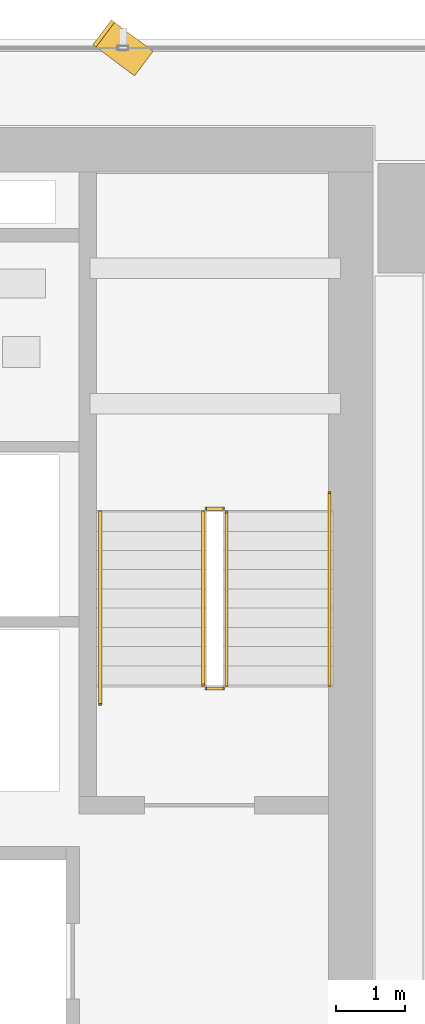
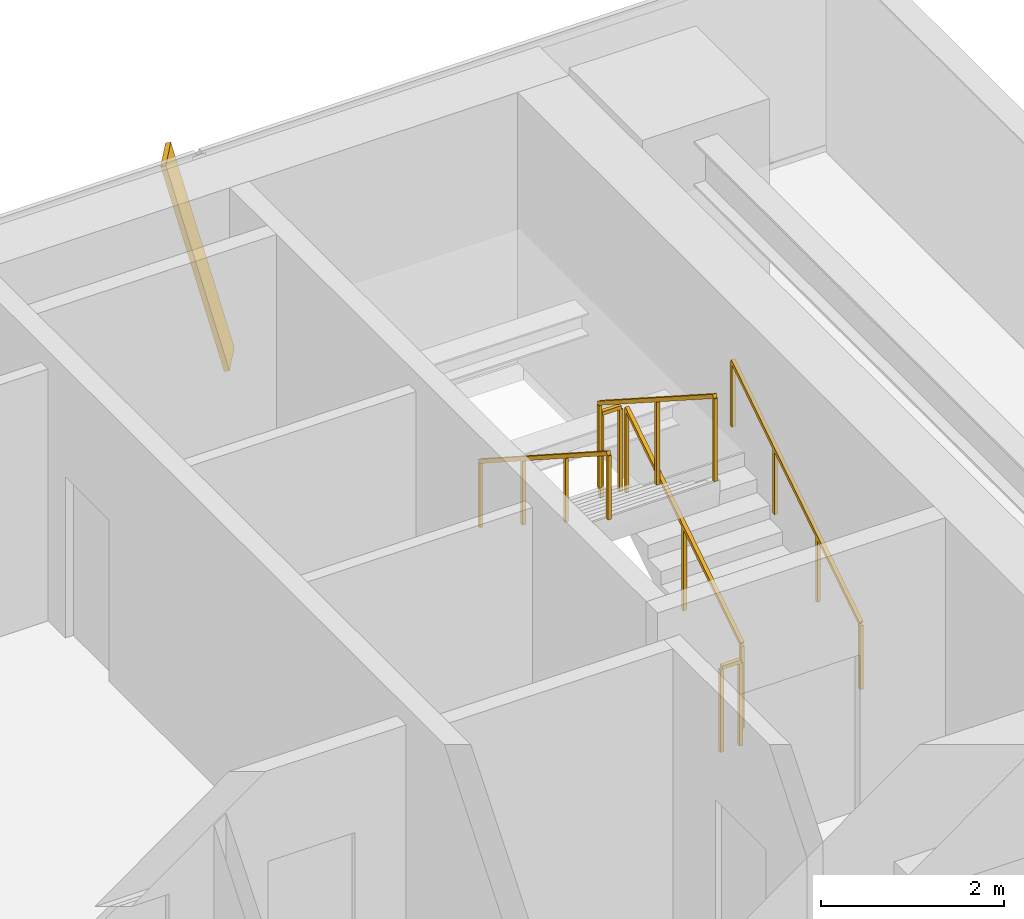
# One storey, part 35 of 36: 6 railings, 1 shading device.
"""IFC4 building model written with IfcOpenShell, lengths in metres."""

from ifc_helpers import new_model, si_unit, direction, frame, origin, origin_2d, place, context, subcontext, project, spatial, rectangle, extrude, source, transform, mapped, material, material_profile, profile_set, type_object, element, save


model = new_model("IFC4")

# Units and contexts
model_context = context("Model", 3, precision=1e-05, world=origin(), true_north=direction((0.0, 1.0)))
body_context = subcontext(model_context, "Body", "Model", "MODEL_VIEW")
ifc_project = project(units=[si_unit("LENGTHUNIT", "METRE"), si_unit("AREAUNIT", "SQUARE_METRE"), si_unit("VOLUMEUNIT", "CUBIC_METRE"), si_unit("PLANEANGLEUNIT", "RADIAN"), si_unit("MASSUNIT", "GRAM", prefix="KILO")], contexts=[model_context])

# Site, building, storey
site_placement = place(None, origin())
site = spatial("IfcSite", under=ifc_project, at=site_placement, CompositionType="ELEMENT")
building_placement = place(site_placement, origin())
building = spatial("IfcBuilding", under=site, at=building_placement, Name="Sumidabori Civic Tower", CompositionType="ELEMENT")
storey_placement = place(building_placement, frame((0.0, 0.0, 113.60009765625)))
storey = spatial("IfcBuildingStorey", under=building, at=storey_placement, Name="L29", CompositionType="ELEMENT", Elevation=113.60009765625)

# Railings
ifc_material_1 = material(Name="Stainless Steel Hairline Finish", Category="steel")
railing_type_1 = type_object("IfcRailingType", Name="RL-HANDRAIL", PredefinedType="HANDRAIL", material=ifc_material_1)
railing_1_placement = place(storey_placement, frame((15.2900390625, 16.0, 0.179931640625)))
element("IfcRailing", 1, at=railing_1_placement, inside=storey, type_object=railing_type_1, Name="L29 ST-2 stair handrail 1", PredefinedType="HANDRAIL", context=body_context, shape_type="SweptSolid", body=[
    extrude(rectangle(XDim=0.048095703125, YDim=0.048095703125, at=origin_2d()), frame((0.0, 0.0, 0.8759765625), z_axis=(0.0, 0.840675598268, 0.541539046124), x_axis=(-1.0, 0.0, 0.0)), (0.0, 0.0, 1.0), 3.330810546875),
    extrude(rectangle(XDim=0.0419921875, YDim=0.0419921875, at=origin_2d()), origin(), (0.0, 0.0, 1.0), 0.851806640625),
    extrude(rectangle(XDim=0.0419921875, YDim=0.0419921875, at=origin_2d()), frame((0.0, 0.933349609375, 0.601318359375)), (0.0, 0.0, 1.0), 0.851806640625),
    extrude(rectangle(XDim=0.0419921875, YDim=0.0419921875, at=origin_2d()), frame((0.0, 1.86669921875, 1.202392578125)), (0.0, 0.0, 1.0), 0.851806640625),
    extrude(rectangle(XDim=0.0419921875, YDim=0.0419921875, at=origin_2d()), frame((0.0, 2.800048828125, 1.8037109375)), (0.0, 0.0, 1.0), 0.851806640625),
])
railing_2_placement = place(storey_placement, frame((11.949951171875, 18.52001953125, 1.97998046875)))
element("IfcRailing", 2, at=railing_2_placement, inside=storey, type_object=railing_type_1, Name="L29 ST-2 stair handrail 2", PredefinedType="HANDRAIL", context=body_context, shape_type="SweptSolid", body=[
    extrude(rectangle(XDim=0.048095703125, YDim=0.048095703125, at=origin_2d()), frame((0.0, 0.0, 0.8759765625), z_axis=(0.0, -0.840675598268, 0.541539046124), x_axis=(1.0, 0.0, 0.0)), (0.0, 0.0, 1.0), 3.330810546875),
    extrude(rectangle(XDim=0.0419921875, YDim=0.0419921875, at=origin_2d()), origin(), (0.0, 0.0, 1.0), 0.851806640625),
    extrude(rectangle(XDim=0.0419921875, YDim=0.0419921875, at=origin_2d()), frame((0.0, -0.933349609375, 0.601318359375)), (0.0, 0.0, 1.0), 0.851806640625),
    extrude(rectangle(XDim=0.0419921875, YDim=0.0419921875, at=origin_2d()), frame((0.0, -1.86669921875, 1.202392578125)), (0.0, 0.0, 1.0), 0.851806640625),
    extrude(rectangle(XDim=0.0419921875, YDim=0.0419921875, at=origin_2d()), frame((0.0, -2.800048828125, 1.8037109375)), (0.0, 0.0, 1.0), 0.851806640625),
])
ifc_material_2 = material(Name="Steel SN490", Category="steel")
railing_type_2 = type_object("IfcRailingType", Name="RL-STAIR-GUARD", PredefinedType="GUARDRAIL", material=ifc_material_2)
railing_3_placement = place(storey_placement, frame((13.7900390625, 16.0, 0.179931640625)))
element("IfcRailing", 3, at=railing_3_placement, inside=storey, type_object=railing_type_2, Name="L29 ST-2 stair guard 1", PredefinedType="GUARDRAIL", context=body_context, shape_type="SweptSolid", body=[
    extrude(rectangle(XDim=0.048095703125, YDim=0.048095703125, at=origin_2d()), frame((0.0, 0.0, 1.1259765625), z_axis=(0.0, 0.841199657755, 0.540724639528), x_axis=(-1.0, 0.0, 0.0)), (0.0, 0.0, 1.0), 2.995849609375),
    extrude(rectangle(XDim=0.0419921875, YDim=0.0419921875, at=origin_2d()), origin(), (0.0, 0.0, 1.0), 1.101806640625),
    extrude(rectangle(XDim=0.0419921875, YDim=0.0419921875, at=origin_2d()), frame((0.0, 1.260009765625, 0.81005859375)), (0.0, 0.0, 1.0), 1.101806640625),
    extrude(rectangle(XDim=0.0419921875, YDim=0.0419921875, at=origin_2d()), frame((0.0, 2.52001953125, 1.619873046875)), (0.0, 0.0, 1.0), 1.101806640625),
])
railing_4_placement = place(storey_placement, frame((13.739990234375, 18.570068359375, 1.7998046875)))
element("IfcRailing", 4, at=railing_4_placement, inside=storey, type_object=railing_type_2, Name="L29 ST-2 stair guard 2", PredefinedType="GUARDRAIL", context=body_context, shape_type="SweptSolid", body=[
    extrude(rectangle(XDim=0.048095703125, YDim=0.048095703125, at=origin_2d()), frame((0.0, 0.0, 1.1259765625), z_axis=(-1.0, 0.0, 0.0), x_axis=(0.0, -1.0, 0.0)), (0.0, 0.0, 1.0), 0.239990234375),
    extrude(rectangle(XDim=0.0419921875, YDim=0.0419921875, at=origin_2d()), origin(), (0.0, 0.0, 1.0), 1.101806640625),
    extrude(rectangle(XDim=0.0419921875, YDim=0.0419921875, at=origin_2d()), frame((-0.239990234375, 0.0, 0.0)), (0.0, 0.0, 1.0), 1.101806640625),
])
railing_5_placement = place(storey_placement, frame((13.449951171875, 18.52001953125, 1.97998046875)))
element("IfcRailing", 5, at=railing_5_placement, inside=storey, type_object=railing_type_2, Name="L29 ST-2 stair guard 3", PredefinedType="GUARDRAIL", context=body_context, shape_type="SweptSolid", body=[
    extrude(rectangle(XDim=0.048095703125, YDim=0.048095703125, at=origin_2d()), frame((0.0, 0.0, 1.1259765625), z_axis=(0.0, -0.841199657755, 0.540724639528), x_axis=(1.0, 0.0, 0.0)), (0.0, 0.0, 1.0), 2.995849609375),
    extrude(rectangle(XDim=0.0419921875, YDim=0.0419921875, at=origin_2d()), origin(), (0.0, 0.0, 1.0), 1.101806640625),
    extrude(rectangle(XDim=0.0419921875, YDim=0.0419921875, at=origin_2d()), frame((0.0, -1.260009765625, 0.81005859375)), (0.0, 0.0, 1.0), 1.101806640625),
    extrude(rectangle(XDim=0.0419921875, YDim=0.0419921875, at=origin_2d()), frame((0.0, -2.52001953125, 1.619873046875)), (0.0, 0.0, 1.0), 1.101806640625),
])
railing_6_placement = place(storey_placement, frame((13.739990234375, 15.949951171875, 0.0)))
element("IfcRailing", 6, at=railing_6_placement, inside=storey, type_object=railing_type_2, Name="L29 ST-2 stair guard 4", PredefinedType="GUARDRAIL", context=body_context, shape_type="SweptSolid", body=[
    extrude(rectangle(XDim=0.048095703125, YDim=0.048095703125, at=origin_2d()), frame((0.0, 0.0, 1.1259765625), z_axis=(-1.0, 0.0, 0.0), x_axis=(0.0, -1.0, 0.0)), (0.0, 0.0, 1.0), 0.239990234375),
    extrude(rectangle(XDim=0.0419921875, YDim=0.0419921875, at=origin_2d()), origin(), (0.0, 0.0, 1.0), 1.101806640625),
    extrude(rectangle(XDim=0.0419921875, YDim=0.0419921875, at=origin_2d()), frame((-0.239990234375, 0.0, 0.0)), (0.0, 0.0, 1.0), 1.101806640625),
])

# Shading device
ifc_material_3 = material(Name="Anodised Bronze Aluminium AW-6063-T6", Category="aluminium")
ifc_material_profile = material_profile(ifc_material_3, rectangle(XDim=0.06005859375, YDim=0.449951171875, at=origin_2d()), Name="BRONZE FIN 450x60")
ifc_profile_set = profile_set([ifc_material_profile], Name="Anodised Bronze Aluminium AW-6063-T6")
shading_device_type = type_object("IfcShadingDeviceType", Name="SH-FIN-450", PredefinedType="USERDEFINED", material=ifc_profile_set)
shared_shape = source(origin(), body_context, "Body", "SweptSolid", [
    extrude(rectangle(XDim=0.06005859375, YDim=0.449951171875, at=origin_2d()), origin(), (0.0, 0.0, 1.0), 2.769775390625),
])
shading_device_placement = place(storey_placement, frame((12.56201171875, 25.070068359375, 0.02001953125), z_axis=(-0.202198633998, 0.151604904305, 0.967538973582), x_axis=(0.774112159528, -0.58041539424, 0.252721852241)))
element("IfcShadingDevice", 7, at=shading_device_placement, inside=storey, type_object=shading_device_type, Name="Bronze Anodised Diagonal Fin L29-01", ObjectType="FIN", PredefinedType="USERDEFINED", context=body_context, shape_type="MappedRepresentation", body=[
    mapped(shared_shape, transform((0.0, 0.0, 0.0), x_axis=(1.0, 0.0, 0.0), y_axis=(0.0, 1.0, 0.0), z_axis=(0.0, 0.0, 1.0), scale=1.0)),
])

save(model, "model.ifc")
